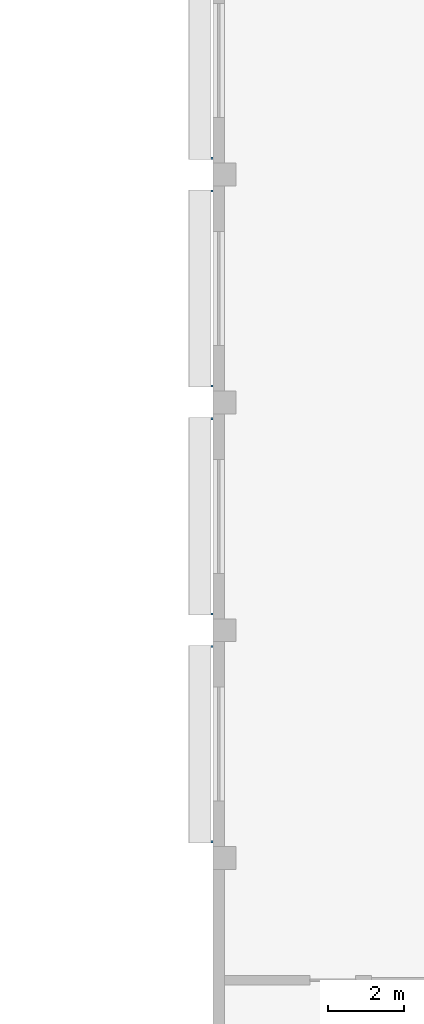
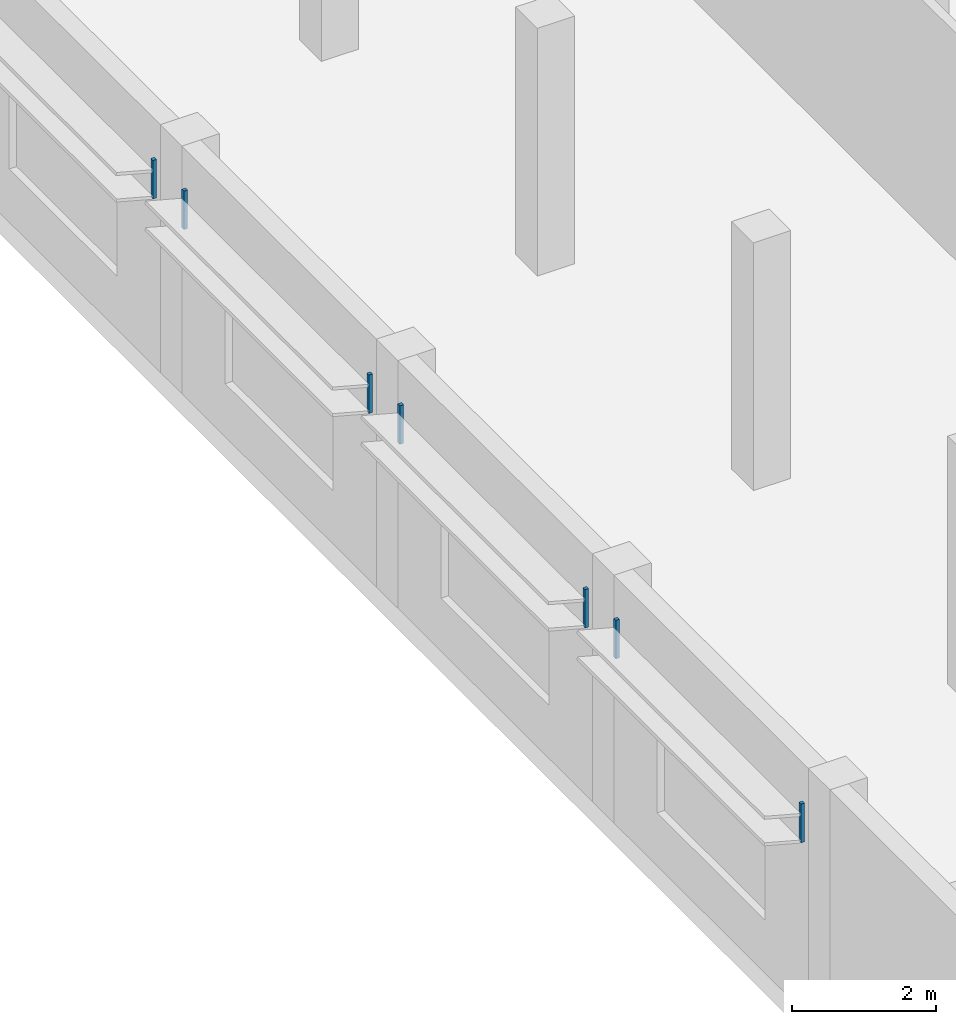
# One storey, part 34 of 47: 7 discrete accessories.
"""IFC4 building model written with IfcOpenShell, lengths in metres."""

from ifc_helpers import new_model, si_unit, direction, frame, origin, origin_2d, place, context, subcontext, project, spatial, rectangle, extrude, material, type_object, element, save


model = new_model("IFC4")

# Units and contexts
model_context = context("Model", 3, precision=1e-05, world=origin(), true_north=direction((0.0, 1.0)))
body_context = subcontext(model_context, "Body", "Model", "MODEL_VIEW")
ifc_project = project(units=[si_unit("LENGTHUNIT", "METRE"), si_unit("AREAUNIT", "SQUARE_METRE"), si_unit("VOLUMEUNIT", "CUBIC_METRE"), si_unit("PLANEANGLEUNIT", "RADIAN"), si_unit("MASSUNIT", "GRAM", prefix="KILO")], contexts=[model_context])

# Site, building, storey
site_placement = place(None, origin())
site = spatial("IfcSite", under=ifc_project, at=site_placement, CompositionType="ELEMENT")
building_placement = place(site_placement, origin())
building = spatial("IfcBuilding", under=site, at=building_placement, Name="Nakaniwa Court", CompositionType="ELEMENT")
storey_placement = place(building_placement, frame((0.0, 0.0, 15.60009765625)))
storey = spatial("IfcBuildingStorey", under=building, at=storey_placement, Name="L03", CompositionType="ELEMENT", Elevation=15.60009765625)

# Discrete accessories
ifc_material = material(Name="Black powder-coated steel bracket S275", Category="steel")
discrete_accessory_type = type_object("IfcDiscreteAccessoryType", Name="Hall black metal louvre bracket", PredefinedType="BRACKET", material=ifc_material)
for number, where, z_axis, x_axis, name in (
    (1, (151.969970703125, 68.429931640625, 2.89794921875), (0.0, 0.0, 1.0), (0.0, 1.0, 0.0), "Louvre bracket L03 003.1"),
    (2, (151.969970703125, 73.570068359375, 2.89794921875), (0.0, 0.0, 1.0), (0.0, 1.0, 0.0), "Louvre bracket L03 003.2"),
    (3, (151.969970703125, 74.429931640625, 2.89794921875), (0.0, 0.0, 1.0), (0.0, 1.0, 0.0), "Louvre bracket L03 004.1"),
    (4, (151.969970703125, 79.570068359375, 2.89794921875), (0.0, 0.0, 1.0), (0.0, 1.0, 0.0), "Louvre bracket L03 004.2"),
    (5, (151.969970703125, 80.429931640625, 2.89794921875), (0.0, 0.0, 1.0), (0.0, 1.0, 0.0), "Louvre bracket L03 005.1"),
    (6, (151.969970703125, 85.570068359375, 2.89794921875), (0.0, 0.0, 1.0), (0.0, 1.0, 0.0), "Louvre bracket L03 005.2"),
    (7, (151.969970703125, 86.429931640625, 2.89794921875), (0.0, 0.0, 1.0), (0.0, 1.0, 0.0), "Louvre bracket L03 006.1"),
):
    element("IfcDiscreteAccessory", number, at=place(storey_placement, frame(where, z_axis=z_axis, x_axis=x_axis)), inside=storey, type_object=discrete_accessory_type, Name=name, PredefinedType="BRACKET", context=body_context, shape_type="SweptSolid", body=[
        extrude(rectangle(XDim=0.06005859375, YDim=0.06005859375, at=origin_2d()), origin(), (0.0, 0.0, 1.0), 0.653564453125),
    ])

save(model, "model.ifc")
